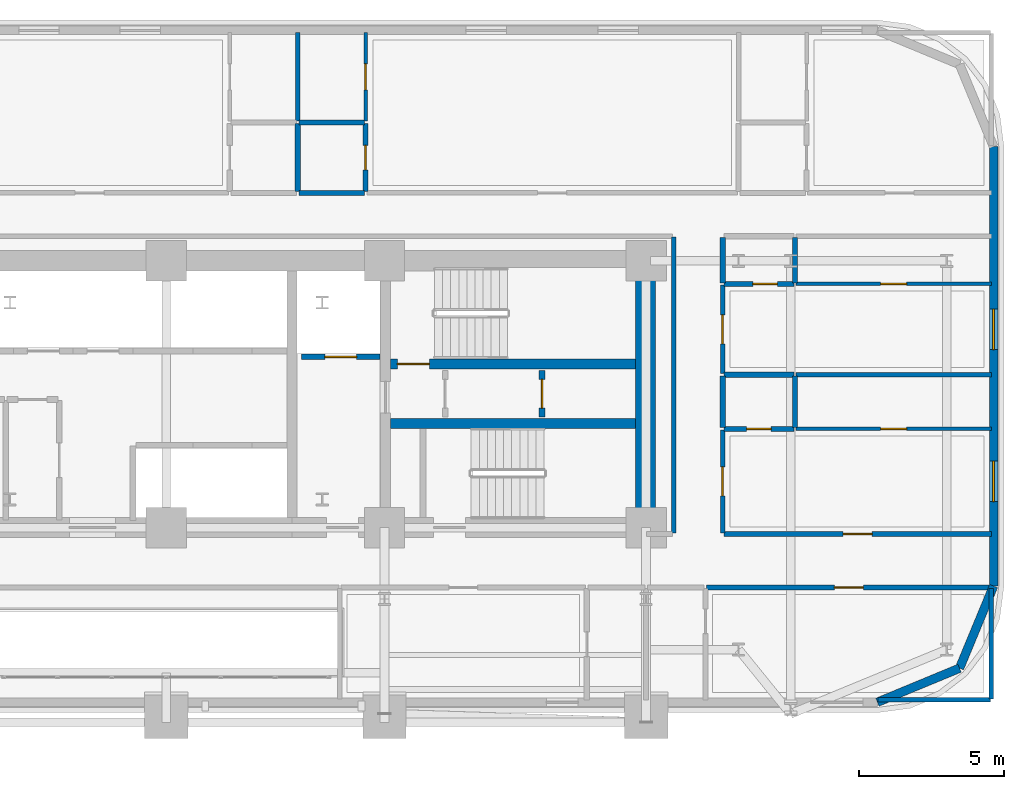
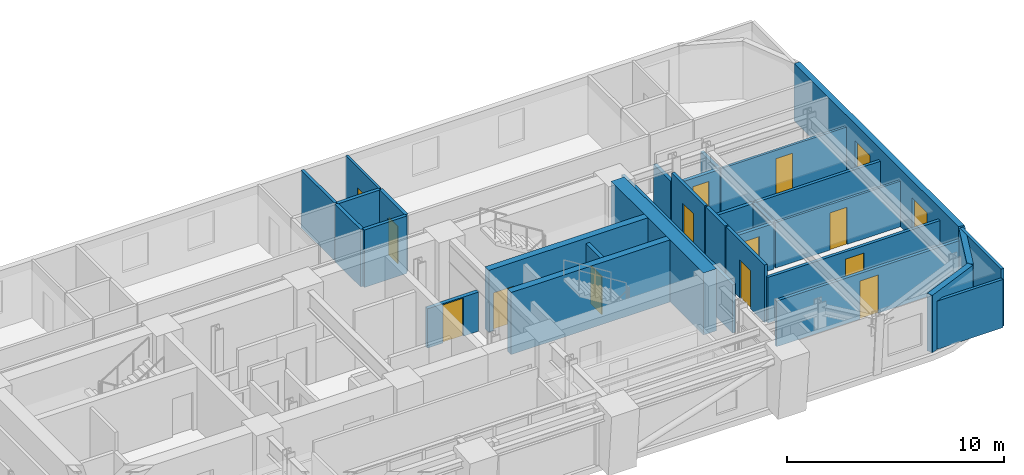
# One storey, part 11 of 16: 31 walls, 13 doors, 2 windows, 15 openings.
"""IFC4 building model written with IfcOpenShell, lengths in metres."""

from ifc_helpers import new_model, si_unit, direction, frame, frame_2d, origin, place, context, subcontext, project, spatial, rectangle, extrude, material, layer, layer_set, type_object, element, fill, save


model = new_model("IFC4")

# Units and contexts
model_context = context("Model", 3, precision=1e-05, world=origin(), true_north=direction((0.0, 1.0)))
body_context = subcontext(model_context, "Body", "Model", "MODEL_VIEW")
ifc_project = project(units=[si_unit("LENGTHUNIT", "METRE"), si_unit("AREAUNIT", "SQUARE_METRE"), si_unit("VOLUMEUNIT", "CUBIC_METRE"), si_unit("PLANEANGLEUNIT", "RADIAN"), si_unit("MASSUNIT", "GRAM", prefix="KILO")], contexts=[model_context])

# Site, building, storey
site_placement = place(None, origin())
site = spatial("IfcSite", under=ifc_project, at=site_placement, CompositionType="ELEMENT")
building_placement = place(site_placement, origin())
building = spatial("IfcBuilding", under=site, at=building_placement, Name="Zarnavel Station Tower", CompositionType="ELEMENT")
storey_placement = place(building_placement, frame((0.0, 0.0, 53.5)))
storey = spatial("IfcBuildingStorey", under=building, at=storey_placement, Name="L14", CompositionType="ELEMENT", Elevation=53.5)

# Wall, opening, door
ifc_material_1 = material(Name="Concrete C50/60", Category="concrete")
ifc_layer_1 = layer(ifc_material_1, 0.35009765625)
ifc_layer_set_1 = layer_set([ifc_layer_1], Name="CW_350")
wall_type_1 = type_object("IfcWallType", Name="CW_350", PredefinedType="SHEAR", material=ifc_layer_set_1)
wall_1_placement = place(storey_placement, frame((45.030029296875, 33.47998046875, 0.0), z_axis=(0.0, 0.0, 1.0), x_axis=(-1.0, 0.0, 0.0)))
wall_1 = element("IfcWall", 1, at=wall_1_placement, inside=storey, type_object=wall_type_1, Name="L14 Rear Core Shear Wall DIV-H2", PredefinedType="SHEAR", context=body_context, shape_type="SweptSolid", body=[
    extrude(rectangle(XDim=8.47509765625, YDim=0.35009765625, at=frame_2d((4.237548828125, 0.0))), origin(), (0.0, 0.0, 1.0), 3.5),
])
opening_1_placement = place(wall_1_placement, frame((7.1298828125, 0.0, 0.0)))
opening_1 = element("IfcOpeningElement", 2, at=opening_1_placement, cuts=wall_1, Name="Opening FD01", PredefinedType="OPENING", context=body_context, shape_type="SweptSolid", body=[
    extrude(rectangle(XDim=1.10009765625, YDim=2.14990234375, at=frame_2d((0.550048828125, 1.074951171875))), frame((0.0, 0.18505859375, 0.0), z_axis=(0.0, -1.0, 0.0), x_axis=(1.0, 0.0, 0.0)), (0.0, 0.0, 1.0), 0.3701171875),
])
ifc_material_2 = material(Name="Painted Galvanised Steel and Hardwood Leaf", Category="steel")
door_type_1 = type_object("IfcDoorType", Name="ID_STAIR_1100", OperationType="NOTDEFINED", PredefinedType="DOOR", material=ifc_material_2)
door_1_placement = place(opening_1_placement, origin())
door_1 = element("IfcDoor", 3, at=door_1_placement, inside=storey, type_object=door_type_1, Name="L14 Stair ST2 Lobby Fire Door", OperationType="SINGLE_SWING_RIGHT", OverallHeight=2.14990234375, OverallWidth=1.10009765625, PredefinedType="DOOR", context=body_context, shape_type="SweptSolid", body=[
    extrude(rectangle(XDim=1.10009765625, YDim=2.14990234375, at=frame_2d((0.550048828125, 1.074951171875))), frame((0.0, 0.02490234375, 0.0), z_axis=(0.0, -1.0, 0.0), x_axis=(1.0, 0.0, 0.0)), (0.0, 0.0, 1.0), 0.050048828125),
])
fill(opening_1, door_1)

# Walls
wall_2_placement = place(storey_placement, frame((36.554931640625, 31.419921875, 0.0), z_axis=(0.0, 0.0, 1.0), x_axis=(1.0, 0.0, 0.0)))
element("IfcWall", 4, at=wall_2_placement, inside=storey, type_object=wall_type_1, Name="L14 Rear Core Shear Wall DIV-H3", PredefinedType="SHEAR", context=body_context, shape_type="SweptSolid", body=[
    extrude(rectangle(XDim=8.47509765625, YDim=0.35009765625, at=frame_2d((4.237548828125, 0.0))), origin(), (0.0, 0.0, 1.0), 3.5),
])
ifc_material_3 = material(Name="Concrete C60/75", Category="concrete")
ifc_layer_2 = layer(ifc_material_3, 0.699951171875)
ifc_layer_set_2 = layer_set([ifc_layer_2], Name="CW_700")
wall_type_2 = type_object("IfcWallType", Name="CW_700", PredefinedType="SHEAR", material=ifc_layer_set_2)
wall_3_placement = place(storey_placement, frame((45.3798828125, 28.169921875, 0.0), z_axis=(0.0, 0.0, 1.0), x_axis=(0.0, 1.0, 0.0)))
element("IfcWall", 5, at=wall_3_placement, inside=storey, type_object=wall_type_2, Name="L14 Rear Core Shear Wall E", PredefinedType="SHEAR", context=body_context, shape_type="SweptSolid", body=[
    extrude(rectangle(XDim=8.530029296875, YDim=0.699951171875, at=frame_2d((4.26513671875, 0.0))), origin(), (0.0, 0.0, 1.0), 3.5),
])
ifc_material_4 = material(Name="Precast concrete C45/55 (Dark Basalt Finish)", Category="masonry")
ifc_layer_3 = layer(ifc_material_4, 0.300048828125)
ifc_layer_set_3 = layer_set([ifc_layer_3], Name="EW_BASALT_300")
wall_type_3 = type_object("IfcWallType", Name="EW_BASALT_300", PredefinedType="SOLIDWALL", material=ifc_layer_set_3)
wall_4_placement = place(storey_placement, frame((56.24267578125, 22.95751953125, 0.0), z_axis=(0.0, 0.0, 1.0), x_axis=(-0.923882414032, -0.382676475685, 0.0)))
element("IfcWall", 6, at=wall_4_placement, inside=storey, type_object=wall_type_3, Name="L14 Exterior Basalt Masonry Frame Wall 01", PredefinedType="SOLIDWALL", context=body_context, shape_type="SweptSolid", body=[
    extrude(rectangle(XDim=3.076904296875, YDim=0.300048828125, at=frame_2d((1.53857421875, 0.0))), origin(), (0.0, 0.0, 1.0), 3.239990234375),
])
wall_5_placement = place(storey_placement, frame((57.419921875, 25.800048828125, 0.0), z_axis=(0.0, 0.0, 1.0), x_axis=(-0.382636798336, -0.92389884758, 0.0)))
element("IfcWall", 7, at=wall_5_placement, inside=storey, type_object=wall_type_3, Name="L14 Exterior Basalt Masonry Frame Wall 02", PredefinedType="SOLIDWALL", context=body_context, shape_type="SweptSolid", body=[
    extrude(rectangle(XDim=3.07666015625, YDim=0.300048828125, at=frame_2d((1.538330078125, 0.0))), origin(), (0.0, 0.0, 1.0), 3.239990234375),
])

# Wall, openings, windows
wall_6_placement = place(storey_placement, frame((57.419921875, 41.0, 0.0), z_axis=(0.0, 0.0, 1.0), x_axis=(0.0, -1.0, 0.0)))
wall_6 = element("IfcWall", 8, at=wall_6_placement, inside=storey, type_object=wall_type_3, Name="L14 Exterior Basalt Masonry Frame Wall 03", PredefinedType="SOLIDWALL", context=body_context, shape_type="SweptSolid", body=[
    extrude(rectangle(XDim=15.199951171875, YDim=0.300048828125, at=frame_2d((7.60009765625, 0.0))), origin(), (0.0, 0.0, 1.0), 3.239990234375),
])
opening_2_placement = place(wall_6_placement, frame((10.882080078125, 0.0, 0.47998046875)))
opening_2 = element("IfcOpeningElement", 9, at=opening_2_placement, cuts=wall_6, Name="Opening WN01", PredefinedType="OPENING", context=body_context, shape_type="SweptSolid", body=[
    extrude(rectangle(XDim=1.39990234375, YDim=1.800048828125, at=frame_2d((0.699951171875, 0.89990234375))), frame((0.0, 0.159912109375, 0.0), z_axis=(0.0, -1.0, 0.0), x_axis=(1.0, 0.0, 0.0)), (0.0, 0.0, 1.0), 0.320068359375),
])
opening_3_placement = place(wall_6_placement, frame((5.62060546875, 0.0, 0.47998046875)))
opening_3 = element("IfcOpeningElement", 10, at=opening_3_placement, cuts=wall_6, Name="Opening WN01", PredefinedType="OPENING", context=body_context, shape_type="SweptSolid", body=[
    extrude(rectangle(XDim=1.39990234375, YDim=1.800048828125, at=frame_2d((0.699951171875, 0.89990234375))), frame((0.0, 0.159912109375, 0.0), z_axis=(0.0, -1.0, 0.0), x_axis=(1.0, 0.0, 0.0)), (0.0, 0.0, 1.0), 0.320068359375),
])
ifc_material_5 = material(Name="Thermally Broken Black Aluminium and Low-E Dark Glass", Category="aluminium")
window_type = type_object("IfcWindowType", Name="WN_1400x1800", PartitioningType="DOUBLE_PANEL_VERTICAL", PredefinedType="WINDOW", material=ifc_material_5)
window_1_placement = place(opening_2_placement, origin())
window_1 = element("IfcWindow", 11, at=window_1_placement, inside=storey, type_object=window_type, Name="L14 Recessed Facade Window 01", OverallHeight=1.800048828125, OverallWidth=1.39990234375, PartitioningType="SINGLE_PANEL", PredefinedType="WINDOW", context=body_context, shape_type="SweptSolid", body=[
    extrude(rectangle(XDim=1.39990234375, YDim=1.800048828125, at=frame_2d((0.699951171875, 0.89990234375))), frame((0.0, 0.030029296875, 0.0), z_axis=(0.0, -1.0, 0.0), x_axis=(1.0, 0.0, 0.0)), (0.0, 0.0, 1.0), 0.06005859375),
])
fill(opening_2, window_1)
window_2_placement = place(opening_3_placement, origin())
window_2 = element("IfcWindow", 12, at=window_2_placement, inside=storey, type_object=window_type, Name="L14 Recessed Facade Window 02", OverallHeight=1.800048828125, OverallWidth=1.39990234375, PartitioningType="SINGLE_PANEL", PredefinedType="WINDOW", context=body_context, shape_type="SweptSolid", body=[
    extrude(rectangle(XDim=1.39990234375, YDim=1.800048828125, at=frame_2d((0.699951171875, 0.89990234375))), frame((0.0, 0.030029296875, 0.0), z_axis=(0.0, -1.0, 0.0), x_axis=(1.0, 0.0, 0.0)), (0.0, 0.0, 1.0), 0.06005859375),
])
fill(opening_3, window_2)

# Wall, opening, door
ifc_material_6 = material(Name="Gypsum Twin-Stud Acoustic Fire Partition", Category="concrete")
ifc_layer_4 = layer(ifc_material_6, 0.159912109375)
ifc_layer_set_4 = layer_set([ifc_layer_4], Name="PT_DEMISE_160")
wall_type_4 = type_object("IfcWallType", Name="PT_DEMISE_160", PredefinedType="PARTITIONING", material=ifc_layer_set_4)
wall_7_placement = place(storey_placement, frame((48.090087890625, 27.60009765625, 0.0), z_axis=(0.0, 0.0, 1.0), x_axis=(1.0, 0.0, 0.0)))
wall_7 = element("IfcWall", 13, at=wall_7_placement, inside=storey, type_object=wall_type_4, Name="L14 Partition COR-S-FNE1R", PredefinedType="PARTITIONING", context=body_context, shape_type="SweptSolid", body=[
    extrude(rectangle(XDim=9.25, YDim=0.159912109375, at=frame_2d((4.625, 0.0))), origin(), (0.0, 0.0, 1.0), 2.570068359375),
])
opening_4_placement = place(wall_7_placement, frame((4.125, 0.0, 0.0)))
opening_4 = element("IfcOpeningElement", 14, at=opening_4_placement, cuts=wall_7, Name="Opening FD02", PredefinedType="OPENING", context=body_context, shape_type="SweptSolid", body=[
    extrude(rectangle(XDim=1.0, YDim=2.14990234375, at=frame_2d((0.5, 1.074951171875))), frame((0.0, 0.08984375, 0.0), z_axis=(0.0, -1.0, 0.0), x_axis=(1.0, 0.0, 0.0)), (0.0, 0.0, 1.0), 0.179931640625),
])
ifc_material_7 = material(Name="Painted Galvanised Steel and Hardwood Leaf", Category="steel")
door_type_2 = type_object("IfcDoorType", Name="ID_ENTRY_1000", OperationType="NOTDEFINED", PredefinedType="DOOR", material=ifc_material_7)
door_2_placement = place(opening_4_placement, origin())
door_2 = element("IfcDoor", 15, at=door_2_placement, inside=storey, type_object=door_type_2, Name="L14 Door COR-S-FNE1R", OperationType="SINGLE_SWING_LEFT", OverallHeight=2.14990234375, OverallWidth=1.0, PredefinedType="DOOR", context=body_context, shape_type="SweptSolid", body=[
    extrude(rectangle(XDim=1.0, YDim=2.14990234375, at=frame_2d((0.5, 1.074951171875))), frame((0.0, 0.02490234375, 0.0), z_axis=(0.0, -1.0, 0.0), x_axis=(1.0, 0.0, 0.0)), (0.0, 0.0, 1.0), 0.050048828125),
])
fill(opening_4, door_2)

wall_8_placement = place(storey_placement, frame((47.489990234375, 25.75, 0.0), z_axis=(0.0, 0.0, 1.0), x_axis=(1.0, 0.0, 0.0)))
wall_8 = element("IfcWall", 16, at=wall_8_placement, inside=storey, type_object=wall_type_4, Name="L14 Partition COR-S-HE2R", PredefinedType="PARTITIONING", context=body_context, shape_type="SweptSolid", body=[
    extrude(rectangle(XDim=9.85009765625, YDim=0.159912109375, at=frame_2d((4.925048828125, 0.0))), origin(), (0.0, 0.0, 1.0), 2.570068359375),
])
opening_5_placement = place(wall_8_placement, frame((4.425048828125, 0.0, 0.0)))
opening_5 = element("IfcOpeningElement", 17, at=opening_5_placement, cuts=wall_8, Name="Opening FD02", PredefinedType="OPENING", context=body_context, shape_type="SweptSolid", body=[
    extrude(rectangle(XDim=1.0, YDim=2.14990234375, at=frame_2d((0.5, 1.074951171875))), frame((0.0, 0.08984375, 0.0), z_axis=(0.0, -1.0, 0.0), x_axis=(1.0, 0.0, 0.0)), (0.0, 0.0, 1.0), 0.179931640625),
])
door_3_placement = place(opening_5_placement, origin())
door_3 = element("IfcDoor", 18, at=door_3_placement, inside=storey, type_object=door_type_2, Name="L14 Door COR-S-HE2R", OperationType="SINGLE_SWING_LEFT", OverallHeight=2.14990234375, OverallWidth=1.0, PredefinedType="DOOR", context=body_context, shape_type="SweptSolid", body=[
    extrude(rectangle(XDim=1.0, YDim=2.14990234375, at=frame_2d((0.5, 1.074951171875))), frame((0.0, 0.02490234375, 0.0), z_axis=(0.0, -1.0, 0.0), x_axis=(1.0, 0.0, 0.0)), (0.0, 0.0, 1.0), 0.050048828125),
])
fill(opening_5, door_3)

wall_9_placement = place(storey_placement, frame((48.050048828125, 27.639892578125, 0.0), z_axis=(0.0, 0.0, 1.0), x_axis=(0.0, 1.0, 0.0)))
wall_9 = element("IfcWall", 19, at=wall_9_placement, inside=storey, type_object=wall_type_4, Name="L14 Partition COR-E-FNE1R", PredefinedType="PARTITIONING", context=body_context, shape_type="SweptSolid", body=[
    extrude(rectangle(XDim=3.55615234375, YDim=0.159912109375, at=frame_2d((1.778076171875, 0.0))), origin(), (0.0, 0.0, 1.0), 3.239990234375),
])
opening_6_placement = place(wall_9_placement, frame((1.278076171875, 0.0, 0.0)))
opening_6 = element("IfcOpeningElement", 20, at=opening_6_placement, cuts=wall_9, Name="Opening FD02", PredefinedType="OPENING", context=body_context, shape_type="SweptSolid", body=[
    extrude(rectangle(XDim=1.0, YDim=2.14990234375, at=frame_2d((0.5, 1.074951171875))), frame((0.0, 0.08984375, 0.0), z_axis=(0.0, -1.0, 0.0), x_axis=(1.0, 0.0, 0.0)), (0.0, 0.0, 1.0), 0.179931640625),
])
door_4_placement = place(opening_6_placement, origin())
door_4 = element("IfcDoor", 21, at=door_4_placement, inside=storey, type_object=door_type_2, Name="L14 Door COR-E-FNE1R", OperationType="SINGLE_SWING_RIGHT", OverallHeight=2.14990234375, OverallWidth=1.0, PredefinedType="DOOR", context=body_context, shape_type="SweptSolid", body=[
    extrude(rectangle(XDim=1.0, YDim=2.14990234375, at=frame_2d((0.5, 1.074951171875))), frame((0.0, 0.02490234375, 0.0), z_axis=(0.0, -1.0, 0.0), x_axis=(1.0, 0.0, 0.0)), (0.0, 0.0, 1.0), 0.050048828125),
])
fill(opening_6, door_4)

wall_10_placement = place(storey_placement, frame((48.050048828125, 33.14892578125, 0.0), z_axis=(0.0, 0.0, 1.0), x_axis=(0.0, 1.0, 0.0)))
wall_10 = element("IfcWall", 22, at=wall_10_placement, inside=storey, type_object=wall_type_4, Name="L14 Partition COR-E-FNE2R", PredefinedType="PARTITIONING", context=body_context, shape_type="SweptSolid", body=[
    extrude(rectangle(XDim=3.06103515625, YDim=0.159912109375, at=frame_2d((1.530517578125, 0.0))), origin(), (0.0, 0.0, 1.0), 3.239990234375),
])
opening_7_placement = place(wall_10_placement, frame((1.030517578125, 0.0, 0.0)))
opening_7 = element("IfcOpeningElement", 23, at=opening_7_placement, cuts=wall_10, Name="Opening FD02", PredefinedType="OPENING", context=body_context, shape_type="SweptSolid", body=[
    extrude(rectangle(XDim=1.0, YDim=2.14990234375, at=frame_2d((0.5, 1.074951171875))), frame((0.0, 0.08984375, 0.0), z_axis=(0.0, -1.0, 0.0), x_axis=(1.0, 0.0, 0.0)), (0.0, 0.0, 1.0), 0.179931640625),
])
door_5_placement = place(opening_7_placement, origin())
door_5 = element("IfcDoor", 24, at=door_5_placement, inside=storey, type_object=door_type_2, Name="L14 Door COR-E-FNE2R", OperationType="SINGLE_SWING_LEFT", OverallHeight=2.14990234375, OverallWidth=1.0, PredefinedType="DOOR", context=body_context, shape_type="SweptSolid", body=[
    extrude(rectangle(XDim=1.0, YDim=2.14990234375, at=frame_2d((0.5, 1.074951171875))), frame((0.0, 0.02490234375, 0.0), z_axis=(0.0, -1.0, 0.0), x_axis=(1.0, 0.0, 0.0)), (0.0, 0.0, 1.0), 0.050048828125),
])
fill(opening_7, door_5)

# Walls
wall_11_placement = place(storey_placement, frame((50.590087890625, 33.10888671875, 0.0), z_axis=(0.0, 0.0, 1.0), x_axis=(1.0, 0.0, 0.0)))
element("IfcWall", 25, at=wall_11_placement, inside=storey, type_object=wall_type_4, Name="L14 Partition FNE1S-FNE2R", PredefinedType="PARTITIONING", context=body_context, shape_type="SweptSolid", body=[
    extrude(rectangle(XDim=6.75, YDim=0.159912109375, at=frame_2d((3.375, 0.0))), origin(), (0.0, 0.0, 1.0), 2.570068359375),
])
wall_12_placement = place(storey_placement, frame((33.346923828125, 41.8779296875, 0.0), z_axis=(0.0, 0.0, 1.0), x_axis=(0.0, 1.0, 0.0)))
element("IfcWall", 26, at=wall_12_placement, inside=storey, type_object=wall_type_4, Name="L14 Partition HN2S-HN3S", PredefinedType="PARTITIONING", context=body_context, shape_type="SweptSolid", body=[
    extrude(rectangle(XDim=3.06201171875, YDim=0.159912109375, at=frame_2d((1.531005859375, 0.0))), origin(), (0.0, 0.0, 1.0), 3.239990234375),
])
wall_13_placement = place(storey_placement, frame((46.35009765625, 27.6298828125, 0.0), z_axis=(0.0, 0.0, 1.0), x_axis=(0.0, 1.0, 0.0)))
element("IfcWall", 27, at=wall_13_placement, inside=storey, type_object=wall_type_4, Name="L14 Enclosure Wall COR-E", PredefinedType="PARTITIONING", context=body_context, shape_type="SweptSolid", body=[
    extrude(rectangle(XDim=10.240234375, YDim=0.159912109375, at=frame_2d((5.1201171875, 0.0))), origin(), (0.0, 0.0, 1.0), 2.719970703125),
])
wall_14_placement = place(storey_placement, frame((53.429931640625, 21.860107421875, 0.0), z_axis=(0.0, 0.0, 1.0), x_axis=(1.0, 0.0, 0.0)))
element("IfcWall", 28, at=wall_14_placement, inside=storey, type_object=wall_type_4, Name="L14 Enclosure Wall HE2R", PredefinedType="PARTITIONING", context=body_context, shape_type="SweptSolid", body=[
    extrude(rectangle(XDim=3.880126953125, YDim=0.159912109375, at=frame_2d((1.93994140625, 0.0))), origin(), (0.0, 0.0, 1.0), 2.719970703125),
])
wall_15_placement = place(storey_placement, frame((57.340087890625, 21.889892578125, 0.0), z_axis=(0.0, 0.0, 1.0), x_axis=(0.0, 1.0, 0.0)))
element("IfcWall", 29, at=wall_15_placement, inside=storey, type_object=wall_type_4, Name="L14 Enclosure Wall HE2R", PredefinedType="PARTITIONING", context=body_context, shape_type="SweptSolid", body=[
    extrude(rectangle(XDim=3.830078125, YDim=0.159912109375, at=frame_2d((1.9150390625, 0.0))), origin(), (0.0, 0.0, 1.0), 3.239990234375),
])

# Wall, opening, door
ifc_material_8 = material(Name="Gypsum Metal-Stud Interior Partition", Category="concrete")
ifc_layer_5 = layer(ifc_material_8, 0.1201171875)
ifc_layer_set_5 = layer_set([ifc_layer_5], Name="PT_ROOM_120")
wall_type_5 = type_object("IfcWallType", Name="PT_ROOM_120", PredefinedType="PARTITIONING", material=ifc_layer_set_5)
wall_16_placement = place(storey_placement, frame((50.590087890625, 31.236083984375, 0.0), z_axis=(0.0, 0.0, 1.0), x_axis=(1.0, 0.0, 0.0)))
wall_16 = element("IfcWall", 30, at=wall_16_placement, inside=storey, type_object=wall_type_5, Name="L14 Partition FNE1R-FNE1S", PredefinedType="PARTITIONING", context=body_context, shape_type="SweptSolid", body=[
    extrude(rectangle(XDim=6.75, YDim=0.1201171875, at=frame_2d((3.375, 0.0))), origin(), (0.0, 0.0, 1.0), 2.570068359375),
])
opening_8_placement = place(wall_16_placement, frame((2.925048828125, 0.0, 0.0)))
opening_8 = element("IfcOpeningElement", 31, at=opening_8_placement, cuts=wall_16, Name="Opening ID01", PredefinedType="OPENING", context=body_context, shape_type="SweptSolid", body=[
    extrude(rectangle(XDim=0.89990234375, YDim=2.10009765625, at=frame_2d((0.449951171875, 1.050048828125))), frame((0.0, 0.070068359375, 0.0), z_axis=(0.0, -1.0, 0.0), x_axis=(1.0, 0.0, 0.0)), (0.0, 0.0, 1.0), 0.14013671875),
])
ifc_material_9 = material(Name="Painted Galvanised Steel and Hardwood Leaf", Category="steel")
door_type_3 = type_object("IfcDoorType", Name="ID_ROOM_900", OperationType="NOTDEFINED", PredefinedType="DOOR", material=ifc_material_9)
door_6_placement = place(opening_8_placement, origin())
door_6 = element("IfcDoor", 32, at=door_6_placement, inside=storey, type_object=door_type_3, Name="L14 Door FNE1R-FNE1S", OperationType="SINGLE_SWING_RIGHT", OverallHeight=2.10009765625, OverallWidth=0.89990234375, PredefinedType="DOOR", context=body_context, shape_type="SweptSolid", body=[
    extrude(rectangle(XDim=0.89990234375, YDim=2.10009765625, at=frame_2d((0.449951171875, 1.050048828125))), frame((0.0, 0.02490234375, 0.0), z_axis=(0.0, -1.0, 0.0), x_axis=(1.0, 0.0, 0.0)), (0.0, 0.0, 1.0), 0.050048828125),
])
fill(opening_8, door_6)

wall_17_placement = place(storey_placement, frame((50.590087890625, 36.25, 0.0), z_axis=(0.0, 0.0, 1.0), x_axis=(1.0, 0.0, 0.0)))
wall_17 = element("IfcWall", 33, at=wall_17_placement, inside=storey, type_object=wall_type_5, Name="L14 Partition FNE2R-FNE2S", PredefinedType="PARTITIONING", context=body_context, shape_type="SweptSolid", body=[
    extrude(rectangle(XDim=6.75, YDim=0.1201171875, at=frame_2d((3.375, 0.0))), origin(), (0.0, 0.0, 1.0), 2.570068359375),
])
opening_9_placement = place(wall_17_placement, frame((2.925048828125, 0.0, 0.0)))
opening_9 = element("IfcOpeningElement", 34, at=opening_9_placement, cuts=wall_17, Name="Opening ID01", PredefinedType="OPENING", context=body_context, shape_type="SweptSolid", body=[
    extrude(rectangle(XDim=0.89990234375, YDim=2.10009765625, at=frame_2d((0.449951171875, 1.050048828125))), frame((0.0, 0.070068359375, 0.0), z_axis=(0.0, -1.0, 0.0), x_axis=(1.0, 0.0, 0.0)), (0.0, 0.0, 1.0), 0.14013671875),
])
door_7_placement = place(opening_9_placement, origin())
door_7 = element("IfcDoor", 35, at=door_7_placement, inside=storey, type_object=door_type_3, Name="L14 Door FNE2R-FNE2S", OperationType="SINGLE_SWING_RIGHT", OverallHeight=2.10009765625, OverallWidth=0.89990234375, PredefinedType="DOOR", context=body_context, shape_type="SweptSolid", body=[
    extrude(rectangle(XDim=0.89990234375, YDim=2.10009765625, at=frame_2d((0.449951171875, 1.050048828125))), frame((0.0, 0.02490234375, 0.0), z_axis=(0.0, -1.0, 0.0), x_axis=(1.0, 0.0, 0.0)), (0.0, 0.0, 1.0), 0.050048828125),
])
fill(opening_9, door_7)

wall_18_placement = place(storey_placement, frame((35.697021484375, 41.8779296875, 0.0), z_axis=(0.0, 0.0, 1.0), x_axis=(0.0, 1.0, 0.0)))
wall_18 = element("IfcWall", 36, at=wall_18_placement, inside=storey, type_object=wall_type_5, Name="L14 Partition HN3R-HN3S", PredefinedType="PARTITIONING", context=body_context, shape_type="SweptSolid", body=[
    extrude(rectangle(XDim=3.06201171875, YDim=0.1201171875, at=frame_2d((1.531005859375, 0.0))), origin(), (0.0, 0.0, 1.0), 3.239990234375),
])
opening_10_placement = place(wall_18_placement, frame((1.0810546875, 0.0, 0.0)))
opening_10 = element("IfcOpeningElement", 37, at=opening_10_placement, cuts=wall_18, Name="Opening ID01", PredefinedType="OPENING", context=body_context, shape_type="SweptSolid", body=[
    extrude(rectangle(XDim=0.89990234375, YDim=2.10009765625, at=frame_2d((0.449951171875, 1.050048828125))), frame((0.0, 0.070068359375, 0.0), z_axis=(0.0, -1.0, 0.0), x_axis=(1.0, 0.0, 0.0)), (0.0, 0.0, 1.0), 0.14013671875),
])
door_8_placement = place(opening_10_placement, origin())
door_8 = element("IfcDoor", 38, at=door_8_placement, inside=storey, type_object=door_type_3, Name="L14 Door HN3R-HN3S", OperationType="SINGLE_SWING_RIGHT", OverallHeight=2.10009765625, OverallWidth=0.89990234375, PredefinedType="DOOR", context=body_context, shape_type="SweptSolid", body=[
    extrude(rectangle(XDim=0.89990234375, YDim=2.10009765625, at=frame_2d((0.449951171875, 1.050048828125))), frame((0.0, 0.02490234375, 0.0), z_axis=(0.0, -1.0, 0.0), x_axis=(1.0, 0.0, 0.0)), (0.0, 0.0, 1.0), 0.050048828125),
])
fill(opening_10, door_8)

ifc_material_10 = material(Name="Precast concrete C45/55 (Fire Shaft Blockwork)", Category="masonry")
ifc_layer_6 = layer(ifc_material_10, 0.199951171875)
ifc_layer_set_6 = layer_set([ifc_layer_6], Name="PT_SHAFT_200")
wall_type_6 = type_object("IfcWallType", Name="PT_SHAFT_200", PredefinedType="PARTITIONING", material=ifc_layer_set_6)
wall_19_placement = place(storey_placement, frame((33.47509765625, 33.72998046875, 0.0), z_axis=(0.0, 0.0, 1.0), x_axis=(1.0, 0.0, 0.0)))
wall_19 = element("IfcWall", 39, at=wall_19_placement, inside=storey, type_object=wall_type_6, Name="L14 Lift FFL-02 Shaft Front Wall", PredefinedType="PARTITIONING", context=body_context, shape_type="SweptSolid", body=[
    extrude(rectangle(XDim=2.724853515625, YDim=0.199951171875, at=frame_2d((1.3623046875, 0.0))), origin(), (0.0, 0.0, 1.0), 2.2119140625),
])
opening_11_placement = place(wall_19_placement, frame((0.8125, 0.0, 0.0)))
opening_11 = element("IfcOpeningElement", 40, at=opening_11_placement, cuts=wall_19, Name="Opening LD01", PredefinedType="OPENING", context=body_context, shape_type="SweptSolid", body=[
    extrude(rectangle(XDim=1.10009765625, YDim=2.14990234375, at=frame_2d((0.550048828125, 1.074951171875))), frame((0.0, 0.10986328125, 0.0), z_axis=(0.0, -1.0, 0.0), x_axis=(1.0, 0.0, 0.0)), (0.0, 0.0, 1.0), 0.219970703125),
])
ifc_material_11 = material(Name="Painted Galvanised Steel and Hardwood Leaf", Category="steel")
door_type_4 = type_object("IfcDoorType", Name="LD_FF_1100", OperationType="DOUBLE_DOOR_SLIDING", PredefinedType="DOOR", material=ifc_material_11)
door_9_placement = place(opening_11_placement, origin())
door_9 = element("IfcDoor", 41, at=door_9_placement, inside=storey, type_object=door_type_4, Name="L14 Lift FFL-02 Sliding Landing Door", OperationType="DOUBLE_DOOR_SLIDING", OverallHeight=2.14990234375, OverallWidth=1.10009765625, PredefinedType="DOOR", context=body_context, shape_type="SweptSolid", body=[
    extrude(rectangle(XDim=1.10009765625, YDim=2.14990234375, at=frame_2d((0.550048828125, 1.074951171875))), frame((0.0, 0.02490234375, 0.0), z_axis=(0.0, -1.0, 0.0), x_axis=(1.0, 0.0, 0.0)), (0.0, 0.0, 1.0), 0.050048828125),
])
fill(opening_11, door_9)

wall_20_placement = place(storey_placement, frame((41.800048828125, 31.639892578125, 0.0), z_axis=(0.0, 0.0, 1.0), x_axis=(0.0, 1.0, 0.0)))
wall_20 = element("IfcWall", 42, at=wall_20_placement, inside=storey, type_object=wall_type_6, Name="L14 Partition CEA-CEB", PredefinedType="PARTITIONING", context=body_context, shape_type="SweptSolid", body=[
    extrude(rectangle(XDim=1.6201171875, YDim=0.199951171875, at=frame_2d((0.81005859375, 0.0))), origin(), (0.0, 0.0, 1.0), 3.239990234375),
])
opening_12_placement = place(wall_20_placement, frame((0.31005859375, 0.0, 0.0)))
opening_12 = element("IfcOpeningElement", 43, at=opening_12_placement, cuts=wall_20, Name="Opening FD02", PredefinedType="OPENING", context=body_context, shape_type="SweptSolid", body=[
    extrude(rectangle(XDim=1.0, YDim=2.14990234375, at=frame_2d((0.5, 1.074951171875))), frame((0.0, 0.10986328125, 0.0), z_axis=(0.0, -1.0, 0.0), x_axis=(1.0, 0.0, 0.0)), (0.0, 0.0, 1.0), 0.219970703125),
])
door_10_placement = place(opening_12_placement, origin())
door_10 = element("IfcDoor", 44, at=door_10_placement, inside=storey, type_object=door_type_2, Name="L14 Door CEA-CEB", OperationType="SINGLE_SWING_RIGHT", OverallHeight=2.14990234375, OverallWidth=1.0, PredefinedType="DOOR", context=body_context, shape_type="SweptSolid", body=[
    extrude(rectangle(XDim=1.0, YDim=2.14990234375, at=frame_2d((0.5, 1.074951171875))), frame((0.0, 0.02490234375, 0.0), z_axis=(0.0, -1.0, 0.0), x_axis=(1.0, 0.0, 0.0)), (0.0, 0.0, 1.0), 0.050048828125),
])
fill(opening_12, door_10)

# Walls
ifc_material_12 = material(Name="Moisture-Resistant Plumbing Chase Wall", Category="concrete")
ifc_layer_7 = layer(ifc_material_12, 0.179931640625)
ifc_layer_set_7 = layer_set([ifc_layer_7], Name="PW_PLUMB_180")
wall_type_7 = type_object("IfcWallType", Name="PW_PLUMB_180", PredefinedType="PLUMBINGWALL", material=ifc_layer_set_7)
wall_21_placement = place(storey_placement, frame((48.050048828125, 31.27587890625, 0.0), z_axis=(0.0, 0.0, 1.0), x_axis=(0.0, 1.0, 0.0)))
element("IfcWall", 45, at=wall_21_placement, inside=storey, type_object=wall_type_7, Name="L14 Partition COR-E-FNE1B", PredefinedType="PLUMBINGWALL", context=body_context, shape_type="SweptSolid", body=[
    extrude(rectangle(XDim=1.793212890625, YDim=0.179931640625, at=frame_2d((0.896484375, 0.0))), origin(), (0.0, 0.0, 1.0), 3.239990234375),
])
wall_22_placement = place(storey_placement, frame((48.050048828125, 36.2900390625, 0.0), z_axis=(0.0, 0.0, 1.0), x_axis=(0.0, 1.0, 0.0)))
element("IfcWall", 46, at=wall_22_placement, inside=storey, type_object=wall_type_7, Name="L14 Partition COR-E-FNE2B", PredefinedType="PLUMBINGWALL", context=body_context, shape_type="SweptSolid", body=[
    extrude(rectangle(XDim=1.570068359375, YDim=0.179931640625, at=frame_2d((0.78515625, 0.0))), origin(), (0.0, 0.0, 1.0), 2.719970703125),
])
wall_23_placement = place(storey_placement, frame((33.386962890625, 39.39990234375, 0.0), z_axis=(0.0, 0.0, 1.0), x_axis=(1.0, 0.0, 0.0)))
element("IfcWall", 47, at=wall_23_placement, inside=storey, type_object=wall_type_7, Name="L14 Partition COR-N-HN3B", PredefinedType="PLUMBINGWALL", context=body_context, shape_type="SweptSolid", body=[
    extrude(rectangle(XDim=2.27001953125, YDim=0.179931640625, at=frame_2d((1.135009765625, 0.0))), origin(), (0.0, 0.0, 1.0), 3.239990234375),
])

# Wall, opening, door
wall_24_placement = place(storey_placement, frame((48.090087890625, 31.236083984375, 0.0), z_axis=(0.0, 0.0, 1.0), x_axis=(1.0, 0.0, 0.0)))
wall_24 = element("IfcWall", 48, at=wall_24_placement, inside=storey, type_object=wall_type_7, Name="L14 Partition FNE1R-FNE1B", PredefinedType="PLUMBINGWALL", context=body_context, shape_type="SweptSolid", body=[
    extrude(rectangle(XDim=2.419921875, YDim=0.179931640625, at=frame_2d((1.2099609375, 0.0))), origin(), (0.0, 0.0, 1.0), 2.570068359375),
])
opening_13_placement = place(wall_24_placement, frame((0.784912109375, 0.0, 0.0)))
opening_13 = element("IfcOpeningElement", 49, at=opening_13_placement, cuts=wall_24, Name="Opening ID02", PredefinedType="OPENING", context=body_context, shape_type="SweptSolid", body=[
    extrude(rectangle(XDim=0.85009765625, YDim=2.10009765625, at=frame_2d((0.425048828125, 1.050048828125))), frame((0.0, 0.099853515625, 0.0), z_axis=(0.0, -1.0, 0.0), x_axis=(1.0, 0.0, 0.0)), (0.0, 0.0, 1.0), 0.199951171875),
])
ifc_material_13 = material(Name="Painted Galvanised Steel and Hardwood Leaf", Category="steel")
door_type_5 = type_object("IfcDoorType", Name="ID_BATH_850", OperationType="NOTDEFINED", PredefinedType="DOOR", material=ifc_material_13)
door_11_placement = place(opening_13_placement, origin())
door_11 = element("IfcDoor", 50, at=door_11_placement, inside=storey, type_object=door_type_5, Name="L14 Door FNE1R-FNE1B", OperationType="SINGLE_SWING_LEFT", OverallHeight=2.10009765625, OverallWidth=0.85009765625, PredefinedType="DOOR", context=body_context, shape_type="SweptSolid", body=[
    extrude(rectangle(XDim=0.85009765625, YDim=2.10009765625, at=frame_2d((0.425048828125, 1.050048828125))), frame((0.0, 0.02490234375, 0.0), z_axis=(0.0, -1.0, 0.0), x_axis=(1.0, 0.0, 0.0)), (0.0, 0.0, 1.0), 0.050048828125),
])
fill(opening_13, door_11)

# Walls
wall_25_placement = place(storey_placement, frame((50.550048828125, 31.27587890625, 0.0), z_axis=(0.0, 0.0, 1.0), x_axis=(0.0, 1.0, 0.0)))
element("IfcWall", 51, at=wall_25_placement, inside=storey, type_object=wall_type_7, Name="L14 Partition FNE1B-FNE1S", PredefinedType="PLUMBINGWALL", context=body_context, shape_type="SweptSolid", body=[
    extrude(rectangle(XDim=1.793212890625, YDim=0.179931640625, at=frame_2d((0.896484375, 0.0))), origin(), (0.0, 0.0, 1.0), 2.570068359375),
])
wall_26_placement = place(storey_placement, frame((48.090087890625, 33.10888671875, 0.0), z_axis=(0.0, 0.0, 1.0), x_axis=(1.0, 0.0, 0.0)))
element("IfcWall", 52, at=wall_26_placement, inside=storey, type_object=wall_type_7, Name="L14 Partition FNE1B-FNE2R", PredefinedType="PLUMBINGWALL", context=body_context, shape_type="SweptSolid", body=[
    extrude(rectangle(XDim=2.419921875, YDim=0.179931640625, at=frame_2d((1.2099609375, 0.0))), origin(), (0.0, 0.0, 1.0), 2.570068359375),
])

# Wall, opening, door
wall_27_placement = place(storey_placement, frame((50.510009765625, 36.25, 0.0), z_axis=(0.0, 0.0, 1.0), x_axis=(-1.0, 0.0, 0.0)))
wall_27 = element("IfcWall", 53, at=wall_27_placement, inside=storey, type_object=wall_type_7, Name="L14 Partition FNE2R-FNE2B", PredefinedType="PLUMBINGWALL", context=body_context, shape_type="SweptSolid", body=[
    extrude(rectangle(XDim=2.419921875, YDim=0.179931640625, at=frame_2d((1.2099609375, 0.0))), origin(), (0.0, 0.0, 1.0), 2.570068359375),
])
opening_14_placement = place(wall_27_placement, frame((0.570068359375, 0.0, 0.0)))
opening_14 = element("IfcOpeningElement", 54, at=opening_14_placement, cuts=wall_27, Name="Opening ID02", PredefinedType="OPENING", context=body_context, shape_type="SweptSolid", body=[
    extrude(rectangle(XDim=0.85009765625, YDim=2.10009765625, at=frame_2d((0.425048828125, 1.050048828125))), frame((0.0, 0.099853515625, 0.0), z_axis=(0.0, -1.0, 0.0), x_axis=(1.0, 0.0, 0.0)), (0.0, 0.0, 1.0), 0.199951171875),
])
door_12_placement = place(opening_14_placement, origin())
door_12 = element("IfcDoor", 55, at=door_12_placement, inside=storey, type_object=door_type_5, Name="L14 Door FNE2R-FNE2B", OperationType="SINGLE_SWING_LEFT", OverallHeight=2.10009765625, OverallWidth=0.85009765625, PredefinedType="DOOR", context=body_context, shape_type="SweptSolid", body=[
    extrude(rectangle(XDim=0.85009765625, YDim=2.10009765625, at=frame_2d((0.425048828125, 1.050048828125))), frame((0.0, 0.02490234375, 0.0), z_axis=(0.0, -1.0, 0.0), x_axis=(1.0, 0.0, 0.0)), (0.0, 0.0, 1.0), 0.050048828125),
])
fill(opening_14, door_12)

# Walls
wall_28_placement = place(storey_placement, frame((50.550048828125, 36.2900390625, 0.0), z_axis=(0.0, 0.0, 1.0), x_axis=(0.0, 1.0, 0.0)))
element("IfcWall", 56, at=wall_28_placement, inside=storey, type_object=wall_type_7, Name="L14 Partition FNE2B-FNE2S", PredefinedType="PLUMBINGWALL", context=body_context, shape_type="SweptSolid", body=[
    extrude(rectangle(XDim=1.570068359375, YDim=0.179931640625, at=frame_2d((0.78515625, 0.0))), origin(), (0.0, 0.0, 1.0), 2.570068359375),
])
wall_29_placement = place(storey_placement, frame((33.346923828125, 39.43994140625, 0.0), z_axis=(0.0, 0.0, 1.0), x_axis=(0.0, 1.0, 0.0)))
element("IfcWall", 57, at=wall_29_placement, inside=storey, type_object=wall_type_7, Name="L14 Partition HN2B-HN3B", PredefinedType="PLUMBINGWALL", context=body_context, shape_type="SweptSolid", body=[
    extrude(rectangle(XDim=2.358154296875, YDim=0.179931640625, at=frame_2d((1.17919921875, 0.0))), origin(), (0.0, 0.0, 1.0), 3.239990234375),
])

# Wall, opening, door
wall_30_placement = place(storey_placement, frame((35.697021484375, 39.43994140625, 0.0), z_axis=(0.0, 0.0, 1.0), x_axis=(0.0, 1.0, 0.0)))
wall_30 = element("IfcWall", 58, at=wall_30_placement, inside=storey, type_object=wall_type_7, Name="L14 Partition HN3R-HN3B", PredefinedType="PLUMBINGWALL", context=body_context, shape_type="SweptSolid", body=[
    extrude(rectangle(XDim=2.358154296875, YDim=0.179931640625, at=frame_2d((1.17919921875, 0.0))), origin(), (0.0, 0.0, 1.0), 3.239990234375),
])
opening_15_placement = place(wall_30_placement, frame((0.75390625, 0.0, 0.0)))
opening_15 = element("IfcOpeningElement", 59, at=opening_15_placement, cuts=wall_30, Name="Opening ID02", PredefinedType="OPENING", context=body_context, shape_type="SweptSolid", body=[
    extrude(rectangle(XDim=0.85009765625, YDim=2.10009765625, at=frame_2d((0.425048828125, 1.050048828125))), frame((0.0, 0.099853515625, 0.0), z_axis=(0.0, -1.0, 0.0), x_axis=(1.0, 0.0, 0.0)), (0.0, 0.0, 1.0), 0.199951171875),
])
door_13_placement = place(opening_15_placement, origin())
door_13 = element("IfcDoor", 60, at=door_13_placement, inside=storey, type_object=door_type_5, Name="L14 Door HN3R-HN3B", OperationType="SINGLE_SWING_LEFT", OverallHeight=2.10009765625, OverallWidth=0.85009765625, PredefinedType="DOOR", context=body_context, shape_type="SweptSolid", body=[
    extrude(rectangle(XDim=0.85009765625, YDim=2.10009765625, at=frame_2d((0.425048828125, 1.050048828125))), frame((0.0, 0.02490234375, 0.0), z_axis=(0.0, -1.0, 0.0), x_axis=(1.0, 0.0, 0.0)), (0.0, 0.0, 1.0), 0.050048828125),
])
fill(opening_15, door_13)

# Wall
wall_31_placement = place(storey_placement, frame((33.386962890625, 41.837890625, 0.0), z_axis=(0.0, 0.0, 1.0), x_axis=(1.0, 0.0, 0.0)))
element("IfcWall", 61, at=wall_31_placement, inside=storey, type_object=wall_type_7, Name="L14 Partition HN3B-HN3S", PredefinedType="PLUMBINGWALL", context=body_context, shape_type="SweptSolid", body=[
    extrude(rectangle(XDim=2.27001953125, YDim=0.179931640625, at=frame_2d((1.135009765625, 0.0))), origin(), (0.0, 0.0, 1.0), 3.239990234375),
])

save(model, "model.ifc")
